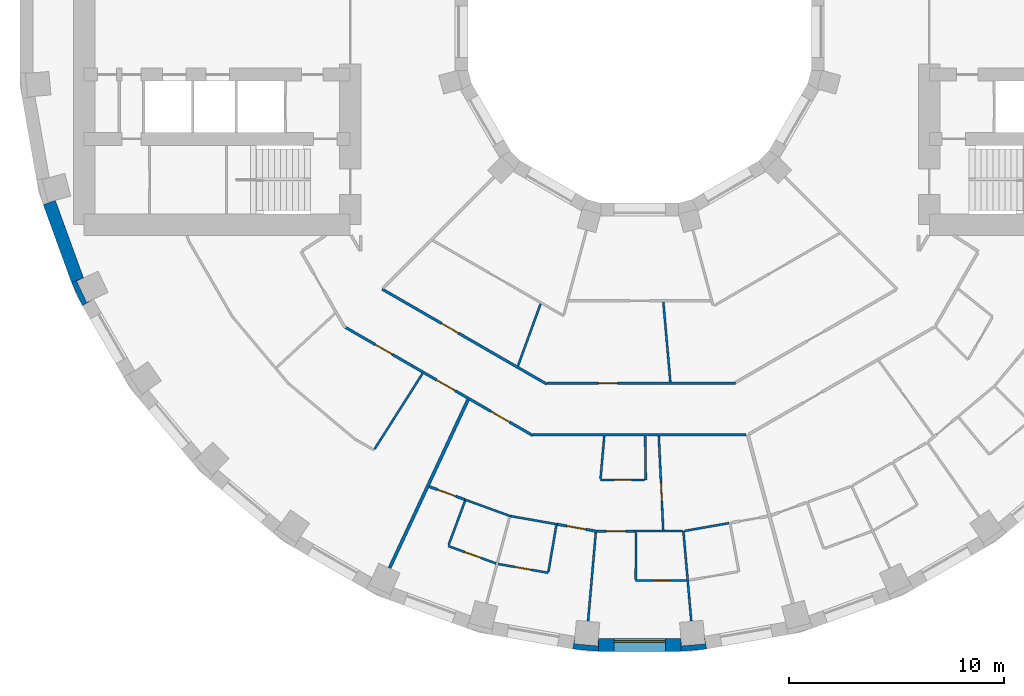
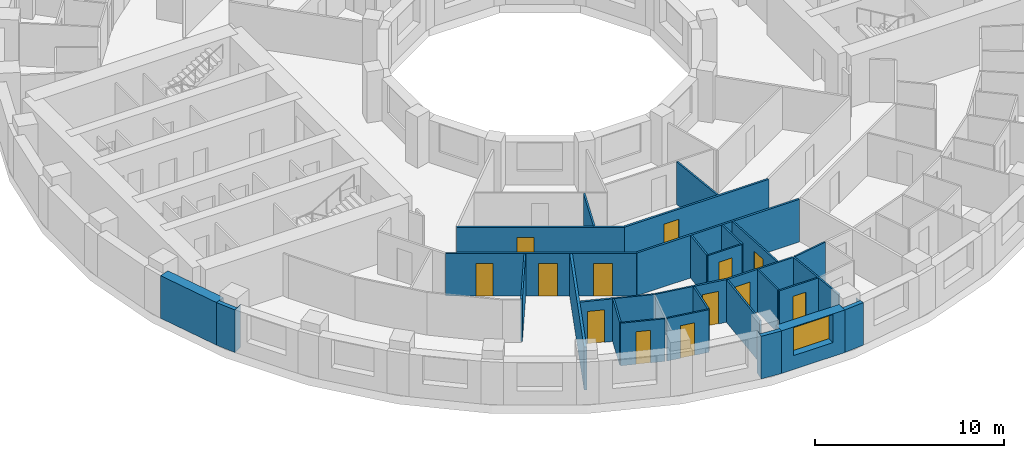
# One storey, part 4 of 15: 32 walls, 13 doors, 1 window, 14 openings.
"""IFC4 building model written with IfcOpenShell, lengths in metres."""

from ifc_helpers import new_model, si_unit, direction, frame, frame_2d, origin, place, context, subcontext, project, spatial, polyline, rectangle, outline, extrude, material, layer, layer_set, type_object, element, fill, save


model = new_model("IFC4")

# Units and contexts
model_context = context("Model", 3, precision=1e-05, world=origin(), true_north=direction((0.0, 1.0)))
body_context = subcontext(model_context, "Body", "Model", "MODEL_VIEW")
ifc_project = project(units=[si_unit("LENGTHUNIT", "METRE"), si_unit("AREAUNIT", "SQUARE_METRE"), si_unit("VOLUMEUNIT", "CUBIC_METRE"), si_unit("PLANEANGLEUNIT", "RADIAN"), si_unit("MASSUNIT", "GRAM", prefix="KILO")], contexts=[model_context])

# Site, building, storey
site_placement = place(None, origin())
site = spatial("IfcSite", under=ifc_project, at=site_placement, CompositionType="ELEMENT")
building_placement = place(site_placement, origin())
building = spatial("IfcBuilding", under=site, at=building_placement, Name="Saqina Gate Tower", CompositionType="ELEMENT")
storey_placement = place(building_placement, frame((0.0, 0.0, 72.5)))
storey = spatial("IfcBuildingStorey", under=building, at=storey_placement, Name="L20", CompositionType="ELEMENT", Elevation=72.5)

# Walls
ifc_material_1 = material(Name="Brick masonry (red)", Category="masonry")
wall_type_1 = type_object("IfcWallType", Name="BRICK PIER COPING RED", PredefinedType="SOLIDWALL", material=ifc_material_1)
wall_1_placement = place(storey_placement, origin())
element("IfcWall", 1, at=wall_1_placement, inside=storey, type_object=wall_type_1, Name="Pier cap L20 column 21", PredefinedType="SOLIDWALL", context=body_context, shape_type="SweptSolid", body=[
    extrude(outline(polyline([(-25.980712890625, -12.779541015625), (-25.4609375, -12.4794921875), (-25.778564453125, -12.627685546875), (-26.243408203125, -11.630615234375), (-25.92578125, -11.482666015625), (-26.48974609375, -11.687744140625), (-25.980712890625, -12.779541015625)])), origin(), (0.0, 0.0, 1.0), 2.75),
])
wall_2_placement = place(storey_placement, origin())
element("IfcWall", 2, at=wall_2_placement, inside=storey, type_object=wall_type_1, Name="Pier cap L20 column 27", PredefinedType="SOLIDWALL", context=body_context, shape_type="SweptSolid", body=[
    extrude(outline(polyline([(-3.122802734375, -28.78466796875), (-1.9228515625, -28.8896484375), (-1.9228515625, -28.28955078125), (-1.95361328125, -28.638671875), (-3.04931640625, -28.54296875), (-3.018798828125, -28.19384765625), (-3.122802734375, -28.78466796875)])), origin(), (0.0, 0.0, 1.0), 2.75),
])
wall_3_placement = place(storey_placement, origin())
element("IfcWall", 3, at=wall_3_placement, inside=storey, type_object=wall_type_1, Name="Pier cap L20 column 28", PredefinedType="SOLIDWALL", context=body_context, shape_type="SweptSolid", body=[
    extrude(outline(polyline([(1.9228515625, -28.8896484375), (3.122802734375, -28.78466796875), (3.018798828125, -28.19384765625), (3.04931640625, -28.54296875), (1.95361328125, -28.638671875), (1.9228515625, -28.28955078125), (1.9228515625, -28.8896484375)])), origin(), (0.0, 0.0, 1.0), 2.75),
])

# Wall, opening, window
ifc_material_2 = material(Name="Brick masonry (red)", Category="masonry")
ifc_layer_1 = layer(ifc_material_2, 0.60009765625)
ifc_layer_set_1 = layer_set([ifc_layer_1], Name="FW-BRICK-RED")
wall_type_2 = type_object("IfcWallType", Name="FW-BRICK-RED", PredefinedType="SOLIDWALL", material=ifc_layer_set_1)
wall_4_placement = place(storey_placement, frame((-1.9228515625, -28.589599609375, 0.0), z_axis=(0.0, 0.0, 1.0), x_axis=(1.0, 0.0, 0.0)))
wall_4 = element("IfcWall", 4, at=wall_4_placement, inside=storey, type_object=wall_type_2, Name="Facade wall L20 facet 27", PredefinedType="SOLIDWALL", context=body_context, shape_type="SweptSolid", body=[
    extrude(rectangle(XDim=3.845703125, YDim=0.60009765625, at=frame_2d((1.9228515625, 0.0))), origin(), (0.0, 0.0, 1.0), 2.75),
])
opening_1_placement = place(wall_4_placement, frame((0.722900390625, 0.0, 0.89990234375)))
opening_1 = element("IfcOpeningElement", 5, at=opening_1_placement, cuts=wall_4, Name="Opening G05-W16", PredefinedType="OPENING", context=body_context, shape_type="SweptSolid", body=[
    extrude(rectangle(XDim=2.39990234375, YDim=1.800048828125, at=frame_2d((1.199951171875, 0.89990234375))), frame((0.0, 0.31201171875, 0.0), z_axis=(0.0, -1.0, 0.0), x_axis=(1.0, 0.0, 0.0)), (0.0, 0.0, 1.0), 0.6240234375),
])
ifc_material_3 = material(Name="Aluminium glazing", Category="aluminium")
window_type = type_object("IfcWindowType", Name="WN-A", PartitioningType="SINGLE_PANEL", PredefinedType="WINDOW", material=ifc_material_3)
window_placement = place(opening_1_placement, origin())
window = element("IfcWindow", 6, at=window_placement, inside=storey, type_object=window_type, Name="Window L20 facet 27", OverallHeight=1.800048828125, OverallWidth=2.39990234375, PartitioningType="SINGLE_PANEL", PredefinedType="WINDOW", context=body_context, shape_type="SweptSolid", body=[
    extrude(rectangle(XDim=2.39990234375, YDim=1.800048828125, at=frame_2d((1.199951171875, 0.89990234375))), frame((0.0, 0.179931640625, 0.0), z_axis=(0.0, -1.0, 0.0), x_axis=(1.0, 0.0, 0.0)), (0.0, 0.0, 1.0), 0.06005859375),
])
fill(opening_1, window)

# Walls
ifc_material_4 = material(Name="Glazed ceramic tile (white)", Category="ceramic")
ifc_layer_2 = layer(ifc_material_4, 0.60009765625)
ifc_layer_set_2 = layer_set([ifc_layer_2], Name="FW-TILE-WH")
wall_type_3 = type_object("IfcWallType", Name="FW-TILE-WH", PredefinedType="SOLIDWALL", material=ifc_layer_set_2)
wall_5_placement = place(storey_placement, frame((-27.523193359375, -7.97119140625, 0.0), z_axis=(0.0, 0.0, 1.0), x_axis=(0.342028474173, -0.939689588564, 0.0)))
element("IfcWall", 7, at=wall_5_placement, inside=storey, type_object=wall_type_3, Name="Facade wall L20 facet 20", PredefinedType="SOLIDWALL", context=body_context, shape_type="SweptSolid", body=[
    extrude(rectangle(XDim=3.845947265625, YDim=0.60009765625, at=frame_2d((1.9228515625, 0.0))), origin(), (0.0, 0.0, 1.0), 2.75),
])
ifc_material_5 = material(Name="Gypsum board on steel studs, 100 mm", Category="steel")
ifc_layer_3 = layer(ifc_material_5, 0.10009765625)
ifc_layer_set_3 = layer_set([ifc_layer_3], Name="PARTITION 100")
wall_type_4 = type_object("IfcWallType", Name="PARTITION 100", PredefinedType="PARTITIONING", material=ifc_layer_set_3)
wall_6_placement = place(storey_placement, frame((0.255859375, -18.862548828125, 0.0), z_axis=(0.0, 0.0, 1.0), x_axis=(0.013779398664, -0.999905059579, 0.0)))
element("IfcWall", 8, at=wall_6_placement, inside=storey, type_object=wall_type_4, Name="PARTITION PW3-01", PredefinedType="PARTITIONING", context=body_context, shape_type="SweptSolid", body=[
    extrude(rectangle(XDim=2.03759765625, YDim=0.10009765625, at=frame_2d((1.018798828125, 0.0))), origin(), (0.0, 0.0, 1.0), 2.75),
])

# Wall, opening, door
wall_7_placement = place(storey_placement, frame((0.890869140625, -18.862548828125, 0.0), z_axis=(0.0, 0.0, 1.0), x_axis=(0.047186643512, -0.998886089939, 0.0)))
wall_7 = element("IfcWall", 9, at=wall_7_placement, inside=storey, type_object=wall_type_4, Name="PARTITION PW3-02", PredefinedType="PARTITIONING", context=body_context, shape_type="SweptSolid", body=[
    extrude(rectangle(XDim=4.38232421875, YDim=0.10009765625, at=frame_2d((2.191162109375, 0.0))), origin(), (0.0, 0.0, 1.0), 2.75),
])
opening_2_placement = place(wall_7_placement, frame((2.135009765625, 0.0, 0.0)))
opening_2 = element("IfcOpeningElement", 10, at=opening_2_placement, cuts=wall_7, Name="Opening G05-D51", PredefinedType="OPENING", context=body_context, shape_type="SweptSolid", body=[
    extrude(rectangle(XDim=0.89990234375, YDim=2.10009765625, at=frame_2d((0.449951171875, 1.050048828125))), frame((0.0, 0.06201171875, 0.0), z_axis=(0.0, -1.0, 0.0), x_axis=(1.0, 0.0, 0.0)), (0.0, 0.0, 1.0), 0.1240234375),
])
ifc_material_6 = material(Name="Timber door leaf, 900 mm", Category="wood")
door_type_1 = type_object("IfcDoorType", Name="DOOR 900 TIMBER", OperationType="SINGLE_SWING_LEFT", PredefinedType="DOOR", material=ifc_material_6)
door_1_placement = place(opening_2_placement, frame((0.89990234375, 0.0, 0.0), z_axis=(0.0, 0.0, 1.0), x_axis=(-1.0, 0.0, 0.0)))
door_1 = element("IfcDoor", 11, at=door_1_placement, inside=storey, type_object=door_type_1, Name="DOOR G05-D51", OperationType="SINGLE_SWING_RIGHT", OverallHeight=2.10009765625, OverallWidth=0.89990234375, PredefinedType="DOOR", context=body_context, shape_type="SweptSolid", body=[
    extrude(rectangle(XDim=0.89990234375, YDim=2.10009765625, at=frame_2d((0.449951171875, 1.050048828125))), frame((0.0, 0.02490234375, 0.0), z_axis=(0.0, -1.0, 0.0), x_axis=(1.0, 0.0, 0.0)), (0.0, 0.0, 1.0), 0.050048828125),
])
fill(opening_2, door_1)

# Walls
wall_8_placement = place(storey_placement, frame((1.102294921875, -12.599853515625, 0.0), z_axis=(0.0, 0.0, 1.0), x_axis=(0.087191165371, -0.996191598379, 0.0)))
element("IfcWall", 12, at=wall_8_placement, inside=storey, type_object=wall_type_4, Name="PARTITION PW3-05", PredefinedType="PARTITIONING", context=body_context, shape_type="SweptSolid", body=[
    extrude(rectangle(XDim=3.752197265625, YDim=0.10009765625, at=frame_2d((1.8759765625, 0.0))), origin(), (0.0, 0.0, 1.0), 2.75),
])
wall_9_placement = place(storey_placement, frame((2.0380859375, -23.2900390625, 0.0), z_axis=(0.0, 0.0, 1.0), x_axis=(0.087200034709, -0.996190822055, 0.0)))
element("IfcWall", 13, at=wall_9_placement, inside=storey, type_object=wall_type_4, Name="PARTITION PW3-06", PredefinedType="PARTITIONING", context=body_context, shape_type="SweptSolid", body=[
    extrude(rectangle(XDim=4.2109375, YDim=0.10009765625, at=frame_2d((2.10546875, 0.0))), origin(), (0.0, 0.0, 1.0), 2.75),
])

# Wall, opening, door
wall_10_placement = place(storey_placement, frame((-8.925048828125, -23.98291015625, 0.0), z_axis=(0.0, 0.0, 1.0), x_axis=(0.939643152994, -0.342156024399, 0.0)))
wall_10 = element("IfcWall", 14, at=wall_10_placement, inside=storey, type_object=wall_type_4, Name="PARTITION PW3-50", PredefinedType="PARTITIONING", context=body_context, shape_type="SweptSolid", body=[
    extrude(rectangle(XDim=2.373291015625, YDim=0.10009765625, at=frame_2d((1.1865234375, 0.0))), origin(), (0.0, 0.0, 1.0), 2.75),
])
opening_3_placement = place(wall_10_placement, frame((0.8115234375, 0.0, 0.0)))
opening_3 = element("IfcOpeningElement", 15, at=opening_3_placement, cuts=wall_10, Name="Opening G05-D43", PredefinedType="OPENING", context=body_context, shape_type="SweptSolid", body=[
    extrude(rectangle(XDim=0.800048828125, YDim=2.10009765625, at=frame_2d((0.39990234375, 1.050048828125))), frame((0.0, 0.06201171875, 0.0), z_axis=(0.0, -1.0, 0.0), x_axis=(1.0, 0.0, 0.0)), (0.0, 0.0, 1.0), 0.1240234375),
])
ifc_material_7 = material(Name="Timber door leaf, 800 mm", Category="wood")
door_type_2 = type_object("IfcDoorType", Name="DOOR 800 TIMBER", OperationType="SINGLE_SWING_LEFT", PredefinedType="DOOR", material=ifc_material_7)
door_2_placement = place(opening_3_placement, frame((0.800048828125, 0.0, 0.0), z_axis=(0.0, 0.0, 1.0), x_axis=(-1.0, 0.0, 0.0)))
door_2 = element("IfcDoor", 16, at=door_2_placement, inside=storey, type_object=door_type_2, Name="DOOR G05-D43", OperationType="SINGLE_SWING_LEFT", OverallHeight=2.10009765625, OverallWidth=0.800048828125, PredefinedType="DOOR", context=body_context, shape_type="SweptSolid", body=[
    extrude(rectangle(XDim=0.800048828125, YDim=2.10009765625, at=frame_2d((0.39990234375, 1.050048828125))), frame((0.0, 0.02490234375, 0.0), z_axis=(0.0, -1.0, 0.0), x_axis=(1.0, 0.0, 0.0)), (0.0, 0.0, 1.0), 0.050048828125),
])
fill(opening_3, door_2)

# Wall
wall_11_placement = place(storey_placement, frame((-8.169921875, -21.810791015625, 0.0), z_axis=(0.0, 0.0, 1.0), x_axis=(0.939700645731, -0.341998094165, 0.0)))
element("IfcWall", 17, at=wall_11_placement, inside=storey, type_object=wall_type_4, Name="PARTITION PW3-51", PredefinedType="PARTITIONING", context=body_context, shape_type="SweptSolid", body=[
    extrude(rectangle(XDim=2.3056640625, YDim=0.10009765625, at=frame_2d((1.15283203125, 0.0))), origin(), (0.0, 0.0, 1.0), 2.75),
])

# Wall, opening, door
wall_12_placement = place(storey_placement, frame((-6.598876953125, -24.82080078125, 0.0), z_axis=(0.0, 0.0, 1.0), x_axis=(0.984804266692, -0.17366794841, 0.0)))
wall_12 = element("IfcWall", 18, at=wall_12_placement, inside=storey, type_object=wall_type_4, Name="PARTITION PW3-54", PredefinedType="PARTITIONING", context=body_context, shape_type="SweptSolid", body=[
    extrude(rectangle(XDim=2.373046875, YDim=0.10009765625, at=frame_2d((1.1865234375, 0.0))), origin(), (0.0, 0.0, 1.0), 2.75),
])
opening_4_placement = place(wall_12_placement, frame((0.761474609375, 0.0, 0.0)))
opening_4 = element("IfcOpeningElement", 19, at=opening_4_placement, cuts=wall_12, Name="Opening G05-D44", PredefinedType="OPENING", context=body_context, shape_type="SweptSolid", body=[
    extrude(rectangle(XDim=0.800048828125, YDim=2.10009765625, at=frame_2d((0.39990234375, 1.050048828125))), frame((0.0, 0.06201171875, 0.0), z_axis=(0.0, -1.0, 0.0), x_axis=(1.0, 0.0, 0.0)), (0.0, 0.0, 1.0), 0.1240234375),
])
door_3_placement = place(opening_4_placement, frame((0.800048828125, 0.0, 0.0), z_axis=(0.0, 0.0, 1.0), x_axis=(-1.0, 0.0, 0.0)))
door_3 = element("IfcDoor", 20, at=door_3_placement, inside=storey, type_object=door_type_2, Name="DOOR G05-D44", OperationType="SINGLE_SWING_RIGHT", OverallHeight=2.10009765625, OverallWidth=0.800048828125, PredefinedType="DOOR", context=body_context, shape_type="SweptSolid", body=[
    extrude(rectangle(XDim=0.800048828125, YDim=2.10009765625, at=frame_2d((0.39990234375, 1.050048828125))), frame((0.0, 0.02490234375, 0.0), z_axis=(0.0, -1.0, 0.0), x_axis=(1.0, 0.0, 0.0)), (0.0, 0.0, 1.0), 0.050048828125),
])
fill(opening_4, door_3)

# Wall
wall_13_placement = place(storey_placement, frame((-6.001708984375, -22.590576171875, 0.0), z_axis=(0.0, 0.0, 1.0), x_axis=(0.984800270927, -0.173690605338, 0.0)))
element("IfcWall", 21, at=wall_13_placement, inside=storey, type_object=wall_type_4, Name="PARTITION PW3-55", PredefinedType="PARTITIONING", context=body_context, shape_type="SweptSolid", body=[
    extrude(rectangle(XDim=2.205322265625, YDim=0.10009765625, at=frame_2d((1.1025390625, 0.0))), origin(), (0.0, 0.0, 1.0), 2.75),
])

# Wall, opening, door
wall_14_placement = place(storey_placement, frame((-0.18408203125, -25.590087890625, 0.0), z_axis=(0.0, 0.0, 1.0), x_axis=(1.0, 0.0, 0.0)))
wall_14 = element("IfcWall", 22, at=wall_14_placement, inside=storey, type_object=wall_type_4, Name="PARTITION PW3-58", PredefinedType="PARTITIONING", context=body_context, shape_type="SweptSolid", body=[
    extrude(rectangle(XDim=2.373046875, YDim=0.10009765625, at=frame_2d((1.1865234375, 0.0))), origin(), (0.0, 0.0, 1.0), 2.75),
])
opening_5_placement = place(wall_14_placement, frame((0.8115234375, 0.0, 0.0)))
opening_5 = element("IfcOpeningElement", 23, at=opening_5_placement, cuts=wall_14, Name="Opening G05-D50", PredefinedType="OPENING", context=body_context, shape_type="SweptSolid", body=[
    extrude(rectangle(XDim=0.800048828125, YDim=2.10009765625, at=frame_2d((0.39990234375, 1.050048828125))), frame((0.0, 0.06201171875, 0.0), z_axis=(0.0, -1.0, 0.0), x_axis=(1.0, 0.0, 0.0)), (0.0, 0.0, 1.0), 0.1240234375),
])
door_4_placement = place(opening_5_placement, frame((0.800048828125, 0.0, 0.0), z_axis=(0.0, 0.0, 1.0), x_axis=(-1.0, 0.0, 0.0)))
door_4 = element("IfcDoor", 24, at=door_4_placement, inside=storey, type_object=door_type_2, Name="DOOR G05-D50", OperationType="SINGLE_SWING_LEFT", OverallHeight=2.10009765625, OverallWidth=0.800048828125, PredefinedType="DOOR", context=body_context, shape_type="SweptSolid", body=[
    extrude(rectangle(XDim=0.800048828125, YDim=2.10009765625, at=frame_2d((0.39990234375, 1.050048828125))), frame((0.0, 0.02490234375, 0.0), z_axis=(0.0, -1.0, 0.0), x_axis=(1.0, 0.0, 0.0)), (0.0, 0.0, 1.0), 0.050048828125),
])
fill(opening_5, door_4)

# Wall
wall_15_placement = place(storey_placement, frame((-0.218017578125, -23.2900390625, 0.0), z_axis=(0.0, 0.0, 1.0), x_axis=(1.0, 0.0, 0.0)))
element("IfcWall", 25, at=wall_15_placement, inside=storey, type_object=wall_type_4, Name="PARTITION PW3-59", PredefinedType="PARTITIONING", context=body_context, shape_type="SweptSolid", body=[
    extrude(rectangle(XDim=2.2060546875, YDim=0.10009765625, at=frame_2d((1.10302734375, 0.0))), origin(), (0.0, 0.0, 1.0), 2.75),
])

# Wall, opening, door
wall_16_placement = place(storey_placement, frame((-1.8291015625, -20.89990234375, 0.0), z_axis=(0.0, 0.0, 1.0), x_axis=(1.0, 0.0, 0.0)))
wall_16 = element("IfcWall", 26, at=wall_16_placement, inside=storey, type_object=wall_type_4, Name="PARTITION PW3-60", PredefinedType="PARTITIONING", context=body_context, shape_type="SweptSolid", body=[
    extrude(rectangle(XDim=2.06298828125, YDim=0.10009765625, at=frame_2d((1.031494140625, 0.0))), origin(), (0.0, 0.0, 1.0), 2.75),
])
opening_6_placement = place(wall_16_placement, frame((0.656494140625, 0.0, 0.0)))
opening_6 = element("IfcOpeningElement", 27, at=opening_6_placement, cuts=wall_16, Name="Opening G05-D48", PredefinedType="OPENING", context=body_context, shape_type="SweptSolid", body=[
    extrude(rectangle(XDim=0.800048828125, YDim=2.10009765625, at=frame_2d((0.39990234375, 1.050048828125))), frame((0.0, 0.06201171875, 0.0), z_axis=(0.0, -1.0, 0.0), x_axis=(1.0, 0.0, 0.0)), (0.0, 0.0, 1.0), 0.1240234375),
])
door_5_placement = place(opening_6_placement, frame((0.800048828125, 0.0, 0.0), z_axis=(0.0, 0.0, 1.0), x_axis=(-1.0, 0.0, 0.0)))
door_5 = element("IfcDoor", 28, at=door_5_placement, inside=storey, type_object=door_type_2, Name="DOOR G05-D48", OperationType="SINGLE_SWING_LEFT", OverallHeight=2.10009765625, OverallWidth=0.800048828125, PredefinedType="DOOR", context=body_context, shape_type="SweptSolid", body=[
    extrude(rectangle(XDim=0.800048828125, YDim=2.10009765625, at=frame_2d((0.39990234375, 1.050048828125))), frame((0.0, 0.02490234375, 0.0), z_axis=(0.0, -1.0, 0.0), x_axis=(1.0, 0.0, 0.0)), (0.0, 0.0, 1.0), 0.050048828125),
])
fill(opening_6, door_5)

# Walls
wall_17_placement = place(storey_placement, frame((2.087158203125, -23.28125, 0.0), z_axis=(0.0, 0.0, 1.0), x_axis=(0.984804573467, 0.173666208797, 0.0)))
element("IfcWall", 29, at=wall_17_placement, inside=storey, type_object=wall_type_4, Name="PARTITION PW3-68", PredefinedType="PARTITIONING", context=body_context, shape_type="SweptSolid", body=[
    extrude(rectangle(XDim=2.1044921875, YDim=0.10009765625, at=frame_2d((1.05224609375, 0.0))), origin(), (0.0, 0.0, 1.0), 2.75),
])
wall_18_placement = place(storey_placement, frame((-12.361083984375, -19.466796875, 0.0), z_axis=(0.0, 0.0, 1.0), x_axis=(0.535975761714, 0.844233369901, 0.0)))
element("IfcWall", 30, at=wall_18_placement, inside=storey, type_object=wall_type_4, Name="PARTITION PW3-95", PredefinedType="PARTITIONING", context=body_context, shape_type="SweptSolid", body=[
    extrude(rectangle(XDim=4.18017578125, YDim=0.10009765625, at=frame_2d((2.090087890625, 0.0))), origin(), (0.0, 0.0, 1.0), 2.75),
])
wall_19_placement = place(storey_placement, frame((-8.907470703125, -23.93603515625, 0.0), z_axis=(0.0, 0.0, 1.0), x_axis=(0.348774527409, 0.937206662925, 0.0)))
element("IfcWall", 31, at=wall_19_placement, inside=storey, type_object=wall_type_4, Name="PARTITION PW3-101", PredefinedType="PARTITIONING", context=body_context, shape_type="SweptSolid", body=[
    extrude(rectangle(XDim=2.199462890625, YDim=0.10009765625, at=frame_2d((1.099609375, 0.0))), origin(), (0.0, 0.0, 1.0), 2.75),
])
wall_20_placement = place(storey_placement, frame((-5.674560546875, -15.58984375, 0.0), z_axis=(0.0, 0.0, 1.0), x_axis=(0.342003486118, 0.939698683347, 0.0)))
element("IfcWall", 32, at=wall_20_placement, inside=storey, type_object=wall_type_4, Name="PARTITION PW3-103", PredefinedType="PARTITIONING", context=body_context, shape_type="SweptSolid", body=[
    extrude(rectangle(XDim=3.0859375, YDim=0.10009765625, at=frame_2d((1.54296875, 0.0))), origin(), (0.0, 0.0, 1.0), 2.75),
])
wall_21_placement = place(storey_placement, frame((-4.253662109375, -25.18359375, 0.0), z_axis=(0.0, 0.0, 1.0), x_axis=(0.166534432253, 0.986035639759, 0.0)))
element("IfcWall", 33, at=wall_21_placement, inside=storey, type_object=wall_type_4, Name="PARTITION PW3-109", PredefinedType="PARTITIONING", context=body_context, shape_type="SweptSolid", body=[
    extrude(rectangle(XDim=2.187255859375, YDim=0.10009765625, at=frame_2d((1.09375, 0.0))), origin(), (0.0, 0.0, 1.0), 2.75),
])
wall_22_placement = place(storey_placement, frame((-2.405029296875, -27.48486328125, 0.0), z_axis=(0.0, 0.0, 1.0), x_axis=(0.086512794622, 0.996250739707, 0.0)))
element("IfcWall", 34, at=wall_22_placement, inside=storey, type_object=wall_type_4, Name="PARTITION PW3-110", PredefinedType="PARTITIONING", context=body_context, shape_type="SweptSolid", body=[
    extrude(rectangle(XDim=4.1484375, YDim=0.10009765625, at=frame_2d((2.07421875, 0.0))), origin(), (0.0, 0.0, 1.0), 2.75),
])
wall_23_placement = place(storey_placement, frame((-1.82470703125, -20.85009765625, 0.0), z_axis=(0.0, 0.0, 1.0), x_axis=(0.087115345234, 0.996198231591, 0.0)))
element("IfcWall", 35, at=wall_23_placement, inside=storey, type_object=wall_type_4, Name="PARTITION PW3-112", PredefinedType="PARTITIONING", context=body_context, shape_type="SweptSolid", body=[
    extrude(rectangle(XDim=1.995361328125, YDim=0.10009765625, at=frame_2d((0.99755859375, 0.0))), origin(), (0.0, 0.0, 1.0), 2.75),
])
wall_24_placement = place(storey_placement, frame((-0.18359375, -25.5400390625, 0.0), z_axis=(0.0, 0.0, 1.0), x_axis=(0.006919477202, 0.999976060131, 0.0)))
element("IfcWall", 36, at=wall_24_placement, inside=storey, type_object=wall_type_4, Name="PARTITION PW3-114", PredefinedType="PARTITIONING", context=body_context, shape_type="SweptSolid", body=[
    extrude(rectangle(XDim=2.1875, YDim=0.10009765625, at=frame_2d((1.09375, 0.0))), origin(), (0.0, 0.0, 1.0), 2.75),
])

# Wall, openings, doors
ifc_material_8 = material(Name="Gypsum board on steel studs, 125 mm, fire rated", Category="steel")
ifc_layer_4 = layer(ifc_material_8, 0.125)
ifc_layer_set_4 = layer_set([ifc_layer_4], Name="PARTITION EI 30 125")
wall_type_5 = type_object("IfcWallType", Name="PARTITION EI 30 125", PredefinedType="PARTITIONING", material=ifc_layer_set_4)
wall_25_placement = place(storey_placement, frame((-13.708984375, -13.794189453125, 0.0), z_axis=(0.0, 0.0, 1.0), x_axis=(0.866059817553, -0.499940388867, 0.0)))
wall_25 = element("IfcWall", 37, at=wall_25_placement, inside=storey, type_object=wall_type_5, Name="PARTITION PW1-09", PredefinedType="PARTITIONING", context=body_context, shape_type="SweptSolid", body=[
    extrude(rectangle(XDim=10.085205078125, YDim=0.125, at=frame_2d((5.04248046875, 0.0))), origin(), (0.0, 0.0, 1.0), 2.75),
])
opening_7_placement = place(wall_25_placement, frame((1.60986328125, 0.0, 0.0)))
opening_7 = element("IfcOpeningElement", 38, at=opening_7_placement, cuts=wall_25, Name="Opening G05-D37", PredefinedType="OPENING", context=body_context, shape_type="SweptSolid", body=[
    extrude(rectangle(XDim=0.89990234375, YDim=2.10009765625, at=frame_2d((0.449951171875, 1.050048828125))), frame((0.0, 0.074462890625, 0.0), z_axis=(0.0, -1.0, 0.0), x_axis=(1.0, 0.0, 0.0)), (0.0, 0.0, 1.0), 0.14892578125),
])
opening_8_placement = place(wall_25_placement, frame((4.90087890625, 0.0, 0.0)))
opening_8 = element("IfcOpeningElement", 39, at=opening_8_placement, cuts=wall_25, Name="Opening G05-D40", PredefinedType="OPENING", context=body_context, shape_type="SweptSolid", body=[
    extrude(rectangle(XDim=1.0, YDim=2.10009765625, at=frame_2d((0.5, 1.050048828125))), frame((0.0, 0.074462890625, 0.0), z_axis=(0.0, -1.0, 0.0), x_axis=(1.0, 0.0, 0.0)), (0.0, 0.0, 1.0), 0.14892578125),
])
opening_9_placement = place(wall_25_placement, frame((7.81640625, 0.0, 0.0)))
opening_9 = element("IfcOpeningElement", 40, at=opening_9_placement, cuts=wall_25, Name="Opening G05-D42", PredefinedType="OPENING", context=body_context, shape_type="SweptSolid", body=[
    extrude(rectangle(XDim=1.0, YDim=2.10009765625, at=frame_2d((0.5, 1.050048828125))), frame((0.0, 0.074462890625, 0.0), z_axis=(0.0, -1.0, 0.0), x_axis=(1.0, 0.0, 0.0)), (0.0, 0.0, 1.0), 0.14892578125),
])
ifc_material_9 = material(Name="Fire door leaf EI 30, 1000 mm")
door_type_3 = type_object("IfcDoorType", Name="DOOR 1000 EI 30", OperationType="SINGLE_SWING_LEFT", PredefinedType="DOOR", material=ifc_material_9)
door_6_placement = place(opening_8_placement, origin())
door_6 = element("IfcDoor", 41, at=door_6_placement, inside=storey, type_object=door_type_3, Name="DOOR G05-D40", OperationType="SINGLE_SWING_RIGHT", OverallHeight=2.10009765625, OverallWidth=1.0, PredefinedType="DOOR", context=body_context, shape_type="SweptSolid", body=[
    extrude(rectangle(XDim=1.0, YDim=2.10009765625, at=frame_2d((0.5, 1.050048828125))), frame((0.0, 0.02490234375, 0.0), z_axis=(0.0, -1.0, 0.0), x_axis=(1.0, 0.0, 0.0)), (0.0, 0.0, 1.0), 0.050048828125),
])
fill(opening_8, door_6)
door_7_placement = place(opening_9_placement, frame((1.0, 0.0, 0.0), z_axis=(0.0, 0.0, 1.0), x_axis=(-1.0, 0.0, 0.0)))
door_7 = element("IfcDoor", 42, at=door_7_placement, inside=storey, type_object=door_type_3, Name="DOOR G05-D42", OperationType="SINGLE_SWING_LEFT", OverallHeight=2.10009765625, OverallWidth=1.0, PredefinedType="DOOR", context=body_context, shape_type="SweptSolid", body=[
    extrude(rectangle(XDim=1.0, YDim=2.10009765625, at=frame_2d((0.5, 1.050048828125))), frame((0.0, 0.02490234375, 0.0), z_axis=(0.0, -1.0, 0.0), x_axis=(1.0, 0.0, 0.0)), (0.0, 0.0, 1.0), 0.050048828125),
])
fill(opening_9, door_7)
ifc_material_10 = material(Name="Fire door leaf EI 30, 900 mm")
door_type_4 = type_object("IfcDoorType", Name="DOOR 900 EI 30", OperationType="SINGLE_SWING_LEFT", PredefinedType="DOOR", material=ifc_material_10)
door_8_placement = place(opening_7_placement, frame((0.89990234375, 0.0, 0.0), z_axis=(0.0, 0.0, 1.0), x_axis=(-1.0, 0.0, 0.0)))
door_8 = element("IfcDoor", 43, at=door_8_placement, inside=storey, type_object=door_type_4, Name="DOOR G05-D37", OperationType="SINGLE_SWING_RIGHT", OverallHeight=2.10009765625, OverallWidth=0.89990234375, PredefinedType="DOOR", context=body_context, shape_type="SweptSolid", body=[
    extrude(rectangle(XDim=0.89990234375, YDim=2.10009765625, at=frame_2d((0.449951171875, 1.050048828125))), frame((0.0, 0.02490234375, 0.0), z_axis=(0.0, -1.0, 0.0), x_axis=(1.0, 0.0, 0.0)), (0.0, 0.0, 1.0), 0.050048828125),
])
fill(opening_7, door_8)

# Wall, opening, door
wall_26_placement = place(storey_placement, frame((-12.006103515625, -12.006103515625, 0.0), z_axis=(0.0, 0.0, 1.0), x_axis=(0.866073188118, -0.499917225971, 0.0)))
wall_26 = element("IfcWall", 44, at=wall_26_placement, inside=storey, type_object=wall_type_5, Name="PARTITION PW1-10", PredefinedType="PARTITIONING", context=body_context, shape_type="SweptSolid", body=[
    extrude(rectangle(XDim=8.861328125, YDim=0.125, at=frame_2d((4.4306640625, 0.0))), origin(), (0.0, 0.0, 1.0), 2.75),
])
opening_10_placement = place(wall_26_placement, frame((3.193115234375, 0.0, 0.0)))
opening_10 = element("IfcOpeningElement", 45, at=opening_10_placement, cuts=wall_26, Name="Opening G05-D38", PredefinedType="OPENING", context=body_context, shape_type="SweptSolid", body=[
    extrude(rectangle(XDim=0.89990234375, YDim=2.10009765625, at=frame_2d((0.449951171875, 1.050048828125))), frame((0.0, 0.074462890625, 0.0), z_axis=(0.0, -1.0, 0.0), x_axis=(1.0, 0.0, 0.0)), (0.0, 0.0, 1.0), 0.14892578125),
])
door_9_placement = place(opening_10_placement, origin())
door_9 = element("IfcDoor", 46, at=door_9_placement, inside=storey, type_object=door_type_4, Name="DOOR G05-D38", OperationType="SINGLE_SWING_LEFT", OverallHeight=2.10009765625, OverallWidth=0.89990234375, PredefinedType="DOOR", context=body_context, shape_type="SweptSolid", body=[
    extrude(rectangle(XDim=0.89990234375, YDim=2.10009765625, at=frame_2d((0.449951171875, 1.050048828125))), frame((0.0, 0.02490234375, 0.0), z_axis=(0.0, -1.0, 0.0), x_axis=(1.0, 0.0, 0.0)), (0.0, 0.0, 1.0), 0.050048828125),
])
fill(opening_10, door_9)

wall_27_placement = place(storey_placement, frame((-9.809326171875, -21.2138671875, 0.0), z_axis=(0.0, 0.0, 1.0), x_axis=(0.939605351125, -0.342259819635, 0.0)))
wall_27 = element("IfcWall", 47, at=wall_27_placement, inside=storey, type_object=wall_type_5, Name="PARTITION PW1-16", PredefinedType="PARTITIONING", context=body_context, shape_type="SweptSolid", body=[
    extrude(rectangle(XDim=1.744873046875, YDim=0.125, at=frame_2d((0.87255859375, 0.0))), origin(), (0.0, 0.0, 1.0), 2.75),
])
opening_11_placement = place(wall_27_placement, frame((0.409912109375, 0.0, 0.0)))
opening_11 = element("IfcOpeningElement", 48, at=opening_11_placement, cuts=wall_27, Name="Opening G05-D41", PredefinedType="OPENING", context=body_context, shape_type="SweptSolid", body=[
    extrude(rectangle(XDim=0.89990234375, YDim=2.10009765625, at=frame_2d((0.449951171875, 1.050048828125))), frame((0.0, 0.074462890625, 0.0), z_axis=(0.0, -1.0, 0.0), x_axis=(1.0, 0.0, 0.0)), (0.0, 0.0, 1.0), 0.14892578125),
])
door_10_placement = place(opening_11_placement, origin())
door_10 = element("IfcDoor", 49, at=door_10_placement, inside=storey, type_object=door_type_4, Name="DOOR G05-D41", OperationType="SINGLE_SWING_LEFT", OverallHeight=2.10009765625, OverallWidth=0.89990234375, PredefinedType="DOOR", context=body_context, shape_type="SweptSolid", body=[
    extrude(rectangle(XDim=0.89990234375, YDim=2.10009765625, at=frame_2d((0.449951171875, 1.050048828125))), frame((0.0, 0.02490234375, 0.0), z_axis=(0.0, -1.0, 0.0), x_axis=(1.0, 0.0, 0.0)), (0.0, 0.0, 1.0), 0.050048828125),
])
fill(opening_11, door_10)

wall_28_placement = place(storey_placement, frame((-3.829833984375, -22.9736328125, 0.0), z_axis=(0.0, 0.0, 1.0), x_axis=(0.984767891191, -0.173874093757, 0.0)))
wall_28 = element("IfcWall", 50, at=wall_28_placement, inside=storey, type_object=wall_type_5, Name="PARTITION PW1-18", PredefinedType="PARTITIONING", context=body_context, shape_type="SweptSolid", body=[
    extrude(rectangle(XDim=1.8828125, YDim=0.125, at=frame_2d((0.94140625, 0.0))), origin(), (0.0, 0.0, 1.0), 2.75),
])
opening_12_placement = place(wall_28_placement, frame((0.434814453125, 0.0, 0.0)))
opening_12 = element("IfcOpeningElement", 51, at=opening_12_placement, cuts=wall_28, Name="Opening G05-D45", PredefinedType="OPENING", context=body_context, shape_type="SweptSolid", body=[
    extrude(rectangle(XDim=0.89990234375, YDim=2.10009765625, at=frame_2d((0.449951171875, 1.050048828125))), frame((0.0, 0.074462890625, 0.0), z_axis=(0.0, -1.0, 0.0), x_axis=(1.0, 0.0, 0.0)), (0.0, 0.0, 1.0), 0.14892578125),
])
door_11_placement = place(opening_12_placement, origin())
door_11 = element("IfcDoor", 52, at=door_11_placement, inside=storey, type_object=door_type_4, Name="DOOR G05-D45", OperationType="SINGLE_SWING_RIGHT", OverallHeight=2.10009765625, OverallWidth=0.89990234375, PredefinedType="DOOR", context=body_context, shape_type="SweptSolid", body=[
    extrude(rectangle(XDim=0.89990234375, YDim=2.10009765625, at=frame_2d((0.449951171875, 1.050048828125))), frame((0.0, 0.02490234375, 0.0), z_axis=(0.0, -1.0, 0.0), x_axis=(1.0, 0.0, 0.0)), (0.0, 0.0, 1.0), 0.050048828125),
])
fill(opening_12, door_11)

wall_29_placement = place(storey_placement, frame((-1.9755859375, -23.2900390625, 0.0), z_axis=(0.0, 0.0, 1.0), x_axis=(1.0, 0.0, 0.0)))
wall_29 = element("IfcWall", 53, at=wall_29_placement, inside=storey, type_object=wall_type_5, Name="PARTITION PW1-20", PredefinedType="PARTITIONING", context=body_context, shape_type="SweptSolid", body=[
    extrude(rectangle(XDim=1.757568359375, YDim=0.125, at=frame_2d((0.87890625, 0.0))), origin(), (0.0, 0.0, 1.0), 2.75),
])
opening_13_placement = place(wall_29_placement, frame((0.422607421875, 0.0, 0.0)))
opening_13 = element("IfcOpeningElement", 54, at=opening_13_placement, cuts=wall_29, Name="Opening G05-D47", PredefinedType="OPENING", context=body_context, shape_type="SweptSolid", body=[
    extrude(rectangle(XDim=0.89990234375, YDim=2.10009765625, at=frame_2d((0.449951171875, 1.050048828125))), frame((0.0, 0.074462890625, 0.0), z_axis=(0.0, -1.0, 0.0), x_axis=(1.0, 0.0, 0.0)), (0.0, 0.0, 1.0), 0.14892578125),
])
door_12_placement = place(opening_13_placement, origin())
door_12 = element("IfcDoor", 55, at=door_12_placement, inside=storey, type_object=door_type_4, Name="DOOR G05-D47", OperationType="SINGLE_SWING_LEFT", OverallHeight=2.10009765625, OverallWidth=0.89990234375, PredefinedType="DOOR", context=body_context, shape_type="SweptSolid", body=[
    extrude(rectangle(XDim=0.89990234375, YDim=2.10009765625, at=frame_2d((0.449951171875, 1.050048828125))), frame((0.0, 0.02490234375, 0.0), z_axis=(0.0, -1.0, 0.0), x_axis=(1.0, 0.0, 0.0)), (0.0, 0.0, 1.0), 0.050048828125),
])
fill(opening_13, door_12)

# Wall
wall_30_placement = place(storey_placement, frame((-4.974609375, -18.800048828125, 0.0), z_axis=(0.0, 0.0, 1.0), x_axis=(1.0, 0.0, 0.0)))
element("IfcWall", 56, at=wall_30_placement, inside=storey, type_object=wall_type_5, Name="PARTITION PW1-21", PredefinedType="PARTITIONING", context=body_context, shape_type="SweptSolid", body=[
    extrude(rectangle(XDim=9.9365234375, YDim=0.125, at=frame_2d((4.96826171875, 0.0))), origin(), (0.0, 0.0, 1.0), 2.75),
])

# Wall, opening, door
wall_31_placement = place(storey_placement, frame((-4.33154296875, -16.39990234375, 0.0), z_axis=(0.0, 0.0, 1.0), x_axis=(1.0, 0.0, 0.0)))
wall_31 = element("IfcWall", 57, at=wall_31_placement, inside=storey, type_object=wall_type_5, Name="PARTITION PW1-22", PredefinedType="PARTITIONING", context=body_context, shape_type="SweptSolid", body=[
    extrude(rectangle(XDim=8.797607421875, YDim=0.125, at=frame_2d((4.39892578125, 0.0))), origin(), (0.0, 0.0, 1.0), 2.75),
])
opening_14_placement = place(wall_31_placement, frame((2.402099609375, 0.0, 0.0)))
opening_14 = element("IfcOpeningElement", 58, at=opening_14_placement, cuts=wall_31, Name="Opening G05-D46", PredefinedType="OPENING", context=body_context, shape_type="SweptSolid", body=[
    extrude(rectangle(XDim=0.89990234375, YDim=2.10009765625, at=frame_2d((0.449951171875, 1.050048828125))), frame((0.0, 0.074462890625, 0.0), z_axis=(0.0, -1.0, 0.0), x_axis=(1.0, 0.0, 0.0)), (0.0, 0.0, 1.0), 0.14892578125),
])
door_13_placement = place(opening_14_placement, origin())
door_13 = element("IfcDoor", 59, at=door_13_placement, inside=storey, type_object=door_type_4, Name="DOOR G05-D46", OperationType="SINGLE_SWING_LEFT", OverallHeight=2.10009765625, OverallWidth=0.89990234375, PredefinedType="DOOR", context=body_context, shape_type="SweptSolid", body=[
    extrude(rectangle(XDim=0.89990234375, YDim=2.10009765625, at=frame_2d((0.449951171875, 1.050048828125))), frame((0.0, 0.02490234375, 0.0), z_axis=(0.0, -1.0, 0.0), x_axis=(1.0, 0.0, 0.0)), (0.0, 0.0, 1.0), 0.050048828125),
])
fill(opening_14, door_13)

# Wall
ifc_material_11 = material(Name="Gypsum board on steel studs, 150 mm, fire rated", Category="steel")
ifc_layer_5 = layer(ifc_material_11, 0.14990234375)
ifc_layer_set_5 = layer_set([ifc_layer_5], Name="PARTITION EI 60 150")
wall_type_6 = type_object("IfcWallType", Name="PARTITION EI 60 150", PredefinedType="PARTITIONING", material=ifc_layer_set_5)
wall_32_placement = place(storey_placement, frame((-11.65869140625, -25.005615234375, 0.0), z_axis=(0.0, 0.0, 1.0), x_axis=(0.422344925588, 0.906435195604, 0.0)))
element("IfcWall", 60, at=wall_32_placement, inside=storey, type_object=wall_type_6, Name="PARTITION PW2-03", PredefinedType="PARTITIONING", context=body_context, shape_type="SweptSolid", body=[
    extrude(rectangle(XDim=8.6552734375, YDim=0.14990234375, at=frame_2d((4.32763671875, 0.0))), origin(), (0.0, 0.0, 1.0), 2.75),
])

save(model, "model.ifc")
